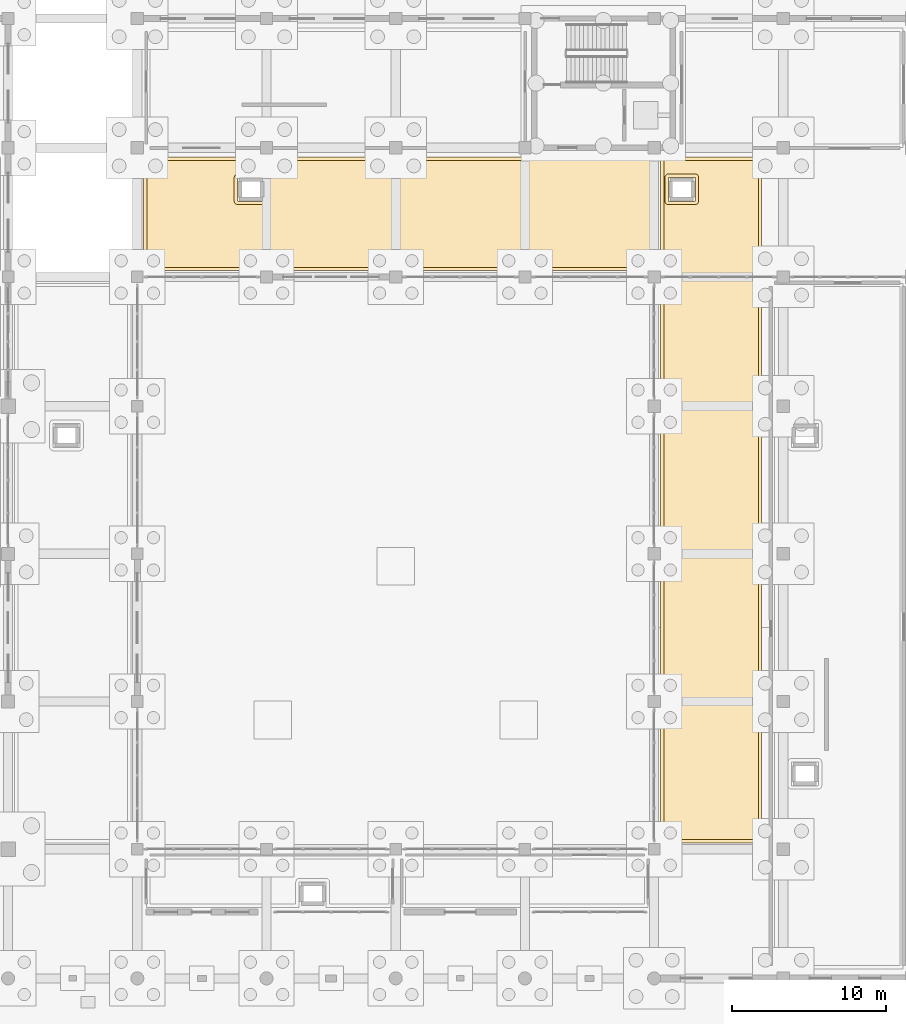
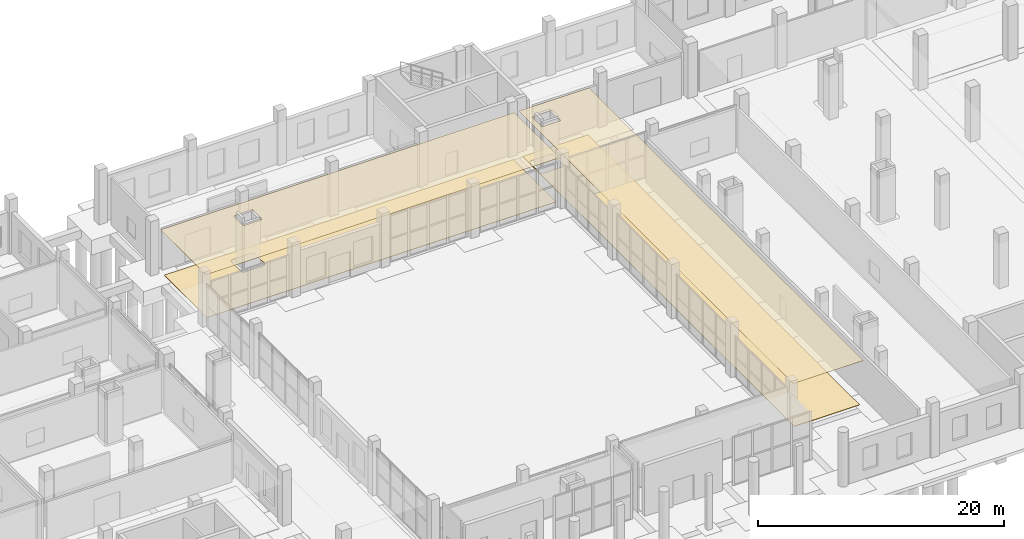
# One storey, part 58 of 65: 4 coverings.
"""IFC4 building model written with IfcOpenShell, lengths in metres."""

from ifc_helpers import new_model, si_unit, direction, frame, origin, place, context, subcontext, project, spatial, polyline, outline, extrude, material, layer, layer_set, type_object, element, save


model = new_model("IFC4")

# Units and contexts
model_context = context("Model", 3, precision=1e-05, world=origin(), true_north=direction((0.0, 1.0)))
body_context = subcontext(model_context, "Body", "Model", "MODEL_VIEW")
ifc_project = project(units=[si_unit("LENGTHUNIT", "METRE"), si_unit("AREAUNIT", "SQUARE_METRE"), si_unit("VOLUMEUNIT", "CUBIC_METRE"), si_unit("PLANEANGLEUNIT", "RADIAN"), si_unit("MASSUNIT", "GRAM", prefix="KILO")], contexts=[model_context])

# Site, building, storey
site_placement = place(None, origin())
site = spatial("IfcSite", under=ifc_project, at=site_placement, CompositionType="ELEMENT")
building_placement = place(site_placement, origin())
building = spatial("IfcBuilding", under=site, at=building_placement, Name="Zulmaris Art Gallery", CompositionType="ELEMENT")
storey_placement = place(building_placement, origin())
storey = spatial("IfcBuildingStorey", under=building, at=storey_placement, Name="L00", CompositionType="ELEMENT", Elevation=0.0)

# Coverings
ifc_material_1 = material(Name="Micro-Perforated Gypsum Acoustic Ceiling", Category="gypsum")
ifc_layer_1 = layer(ifc_material_1, 0.02490234375)
ifc_layer_set_1 = layer_set([ifc_layer_1], Name="Micro-Perforated Gypsum Acoustic Ceiling")
covering_type_1 = type_object("IfcCoveringType", Name="COV-CL01", PredefinedType="CEILING", material=ifc_layer_set_1)
covering_1_placement = place(storey_placement, frame((0.0, 0.0, 4.449951171875)))
element("IfcCovering", 1, at=covering_1_placement, inside=storey, type_object=covering_type_1, Name="East Gallery Promenade acoustic ceiling", PredefinedType="CEILING", context=body_context, shape_type="SweptSolid", body=[
    extrude(outline(polyline([(125.2099609375, 66.590087890625), (131.7900390625, 66.590087890625), (131.7900390625, 22.010009765625), (125.2099609375, 22.010009765625), (125.2099609375, 66.590087890625)]), holes=[polyline([(125.741455078125, 65.278564453125), (125.738525390625, 65.277587890625), (125.736083984375, 65.276123046875), (125.7333984375, 65.274658203125), (125.731201171875, 65.27294921875), (125.72900390625, 65.27099609375), (125.72705078125, 65.268798828125), (125.725341796875, 65.2666015625), (125.723876953125, 65.263916015625), (125.722412109375, 65.261474609375), (125.721435546875, 65.258544921875), (125.720703125, 65.255859375), (125.720458984375, 65.2529296875), (125.719970703125, 65.24462890625), (125.719970703125, 63.75537109375), (125.720458984375, 63.7470703125), (125.720703125, 63.744140625), (125.721435546875, 63.741455078125), (125.722412109375, 63.738525390625), (125.723876953125, 63.736083984375), (125.725341796875, 63.7333984375), (125.72705078125, 63.731201171875), (125.72900390625, 63.72900390625), (125.731201171875, 63.72705078125), (125.7333984375, 63.725341796875), (125.736083984375, 63.723876953125), (125.738525390625, 63.722412109375), (125.741455078125, 63.721435546875), (125.744140625, 63.720703125), (125.7470703125, 63.720458984375), (125.75537109375, 63.719970703125), (127.444580078125, 63.719970703125), (127.452880859375, 63.720458984375), (127.455810546875, 63.720703125), (127.45849609375, 63.721435546875), (127.46142578125, 63.722412109375), (127.464111328125, 63.723876953125), (127.466552734375, 63.725341796875), (127.468994140625, 63.72705078125), (127.470947265625, 63.72900390625), (127.472900390625, 63.731201171875), (127.474609375, 63.7333984375), (127.476318359375, 63.736083984375), (127.4775390625, 63.738525390625), (127.478515625, 63.741455078125), (127.479248046875, 63.744140625), (127.4794921875, 63.7470703125), (127.47998046875, 63.75537109375), (127.47998046875, 65.24462890625), (127.4794921875, 65.2529296875), (127.479248046875, 65.255859375), (127.478515625, 65.258544921875), (127.4775390625, 65.261474609375), (127.476318359375, 65.263916015625), (127.474609375, 65.2666015625), (127.472900390625, 65.268798828125), (127.470947265625, 65.27099609375), (127.468994140625, 65.27294921875), (127.466552734375, 65.274658203125), (127.464111328125, 65.276123046875), (127.46142578125, 65.277587890625), (127.45849609375, 65.278564453125), (127.455810546875, 65.279296875), (127.452880859375, 65.279541015625), (127.444580078125, 65.280029296875), (125.75537109375, 65.280029296875), (125.7470703125, 65.279541015625), (125.744140625, 65.279296875), (125.741455078125, 65.278564453125)])]), origin(), (0.0, 0.0, 1.0), 0.030029296875),
])
covering_2_placement = place(storey_placement, frame((0.0, 0.0, 4.449951171875)))
element("IfcCovering", 2, at=covering_2_placement, inside=storey, type_object=covering_type_1, Name="V4 North Gallery Concourse acoustic ceiling", PredefinedType="CEILING", context=body_context, shape_type="SweptSolid", body=[
    extrude(outline(polyline([(91.610107421875, 66.590087890625), (124.7900390625, 66.590087890625), (124.7900390625, 59.2099609375), (91.610107421875, 59.2099609375), (91.610107421875, 66.590087890625)]), holes=[polyline([(97.741455078125, 65.278564453125), (97.738525390625, 65.277587890625), (97.736083984375, 65.276123046875), (97.7333984375, 65.274658203125), (97.731201171875, 65.27294921875), (97.72900390625, 65.27099609375), (97.72705078125, 65.268798828125), (97.725341796875, 65.2666015625), (97.723876953125, 65.263916015625), (97.722412109375, 65.261474609375), (97.721435546875, 65.258544921875), (97.720703125, 65.255859375), (97.720458984375, 65.2529296875), (97.719970703125, 65.24462890625), (97.719970703125, 63.75537109375), (97.720458984375, 63.7470703125), (97.720703125, 63.744140625), (97.721435546875, 63.741455078125), (97.722412109375, 63.738525390625), (97.723876953125, 63.736083984375), (97.725341796875, 63.7333984375), (97.72705078125, 63.731201171875), (97.72900390625, 63.72900390625), (97.731201171875, 63.72705078125), (97.7333984375, 63.725341796875), (97.736083984375, 63.723876953125), (97.738525390625, 63.722412109375), (97.741455078125, 63.721435546875), (97.744140625, 63.720703125), (97.7470703125, 63.720458984375), (97.75537109375, 63.719970703125), (99.444580078125, 63.719970703125), (99.452880859375, 63.720458984375), (99.455810546875, 63.720703125), (99.45849609375, 63.721435546875), (99.46142578125, 63.722412109375), (99.464111328125, 63.723876953125), (99.466552734375, 63.725341796875), (99.468994140625, 63.72705078125), (99.470947265625, 63.72900390625), (99.472900390625, 63.731201171875), (99.474609375, 63.7333984375), (99.476318359375, 63.736083984375), (99.4775390625, 63.738525390625), (99.478515625, 63.741455078125), (99.479248046875, 63.744140625), (99.4794921875, 63.7470703125), (99.47998046875, 63.75537109375), (99.47998046875, 65.24462890625), (99.4794921875, 65.2529296875), (99.479248046875, 65.255859375), (99.478515625, 65.258544921875), (99.4775390625, 65.261474609375), (99.476318359375, 65.263916015625), (99.474609375, 65.2666015625), (99.472900390625, 65.268798828125), (99.470947265625, 65.27099609375), (99.468994140625, 65.27294921875), (99.466552734375, 65.274658203125), (99.464111328125, 65.276123046875), (99.46142578125, 65.277587890625), (99.45849609375, 65.278564453125), (99.455810546875, 65.279296875), (99.452880859375, 65.279541015625), (99.444580078125, 65.280029296875), (97.75537109375, 65.280029296875), (97.7470703125, 65.279541015625), (97.744140625, 65.279296875), (97.741455078125, 65.278564453125)])]), origin(), (0.0, 0.0, 1.0), 0.030029296875),
])
ifc_material_2 = material(Name="Honed Omani Limestone Terrazzo Flooring", Category="masonry")
ifc_layer_2 = layer(ifc_material_2, 0.0400390625)
ifc_layer_set_2 = layer_set([ifc_layer_2], Name="Honed Omani Limestone Terrazzo Flooring")
covering_type_2 = type_object("IfcCoveringType", Name="COV-FL01", PredefinedType="FLOORING", material=ifc_layer_set_2)
covering_3_placement = place(storey_placement, origin())
element("IfcCovering", 3, at=covering_3_placement, inside=storey, type_object=covering_type_2, Name="East Gallery Promenade finish flooring", PredefinedType="FLOORING", context=body_context, shape_type="SweptSolid", body=[
    extrude(outline(polyline([(131.570068359375, 22.22998046875), (125.429931640625, 22.22998046875), (125.429931640625, 66.3701171875), (131.570068359375, 66.3701171875), (131.570068359375, 22.22998046875)]), holes=[polyline([(125.7255859375, 65.498779296875), (125.701171875, 65.4951171875), (125.677490234375, 65.4892578125), (125.654296875, 65.48095703125), (125.632080078125, 65.470458984375), (125.611083984375, 65.4580078125), (125.59130859375, 65.443359375), (125.5732421875, 65.4267578125), (125.556640625, 65.40869140625), (125.5419921875, 65.388916015625), (125.529541015625, 65.367919921875), (125.51904296875, 65.345703125), (125.5107421875, 65.322509765625), (125.5048828125, 65.298828125), (125.501220703125, 65.2744140625), (125.5, 65.25), (125.5, 63.75), (125.501220703125, 63.7255859375), (125.5048828125, 63.701171875), (125.5107421875, 63.677490234375), (125.51904296875, 63.654296875), (125.529541015625, 63.632080078125), (125.5419921875, 63.611083984375), (125.556640625, 63.59130859375), (125.5732421875, 63.5732421875), (125.59130859375, 63.556640625), (125.611083984375, 63.5419921875), (125.632080078125, 63.529541015625), (125.654296875, 63.51904296875), (125.677490234375, 63.5107421875), (125.701171875, 63.5048828125), (125.7255859375, 63.501220703125), (125.75, 63.5), (127.449951171875, 63.5), (127.474609375, 63.501220703125), (127.498779296875, 63.5048828125), (127.522705078125, 63.5107421875), (127.545654296875, 63.51904296875), (127.56787109375, 63.529541015625), (127.5888671875, 63.5419921875), (127.608642578125, 63.556640625), (127.626708984375, 63.5732421875), (127.643310546875, 63.59130859375), (127.657958984375, 63.611083984375), (127.67041015625, 63.632080078125), (127.680908203125, 63.654296875), (127.689208984375, 63.677490234375), (127.6953125, 63.701171875), (127.69873046875, 63.7255859375), (127.699951171875, 63.75), (127.699951171875, 65.25), (127.69873046875, 65.2744140625), (127.6953125, 65.298828125), (127.689208984375, 65.322509765625), (127.680908203125, 65.345703125), (127.67041015625, 65.367919921875), (127.657958984375, 65.388916015625), (127.643310546875, 65.40869140625), (127.626708984375, 65.4267578125), (127.608642578125, 65.443359375), (127.5888671875, 65.4580078125), (127.56787109375, 65.470458984375), (127.545654296875, 65.48095703125), (127.522705078125, 65.4892578125), (127.498779296875, 65.4951171875), (127.474609375, 65.498779296875), (127.449951171875, 65.5), (125.75, 65.5), (125.7255859375, 65.498779296875)])]), origin(), (0.0, 0.0, 1.0), 0.034912109375),
])
covering_4_placement = place(storey_placement, origin())
element("IfcCovering", 4, at=covering_4_placement, inside=storey, type_object=covering_type_2, Name="V4 North Gallery Concourse finish flooring", PredefinedType="FLOORING", context=body_context, shape_type="SweptSolid", body=[
    extrude(outline(polyline([(124.570068359375, 59.429931640625), (91.830078125, 59.429931640625), (91.830078125, 66.3701171875), (124.570068359375, 66.3701171875), (124.570068359375, 59.429931640625)]), holes=[polyline([(97.7255859375, 65.498779296875), (97.701171875, 65.4951171875), (97.677490234375, 65.4892578125), (97.654296875, 65.48095703125), (97.632080078125, 65.470458984375), (97.611083984375, 65.4580078125), (97.59130859375, 65.443359375), (97.5732421875, 65.4267578125), (97.556640625, 65.40869140625), (97.5419921875, 65.388916015625), (97.529541015625, 65.367919921875), (97.51904296875, 65.345703125), (97.5107421875, 65.322509765625), (97.5048828125, 65.298828125), (97.501220703125, 65.2744140625), (97.5, 65.25), (97.5, 63.75), (97.501220703125, 63.7255859375), (97.5048828125, 63.701171875), (97.5107421875, 63.677490234375), (97.51904296875, 63.654296875), (97.529541015625, 63.632080078125), (97.5419921875, 63.611083984375), (97.556640625, 63.59130859375), (97.5732421875, 63.5732421875), (97.59130859375, 63.556640625), (97.611083984375, 63.5419921875), (97.632080078125, 63.529541015625), (97.654296875, 63.51904296875), (97.677490234375, 63.5107421875), (97.701171875, 63.5048828125), (97.7255859375, 63.501220703125), (97.75, 63.5), (99.449951171875, 63.5), (99.474609375, 63.501220703125), (99.498779296875, 63.5048828125), (99.522705078125, 63.5107421875), (99.545654296875, 63.51904296875), (99.56787109375, 63.529541015625), (99.5888671875, 63.5419921875), (99.608642578125, 63.556640625), (99.626708984375, 63.5732421875), (99.643310546875, 63.59130859375), (99.657958984375, 63.611083984375), (99.67041015625, 63.632080078125), (99.680908203125, 63.654296875), (99.689208984375, 63.677490234375), (99.6953125, 63.701171875), (99.69873046875, 63.7255859375), (99.699951171875, 63.75), (99.699951171875, 65.25), (99.69873046875, 65.2744140625), (99.6953125, 65.298828125), (99.689208984375, 65.322509765625), (99.680908203125, 65.345703125), (99.67041015625, 65.367919921875), (99.657958984375, 65.388916015625), (99.643310546875, 65.40869140625), (99.626708984375, 65.4267578125), (99.608642578125, 65.443359375), (99.5888671875, 65.4580078125), (99.56787109375, 65.470458984375), (99.545654296875, 65.48095703125), (99.522705078125, 65.4892578125), (99.498779296875, 65.4951171875), (99.474609375, 65.498779296875), (99.449951171875, 65.5), (97.75, 65.5), (97.7255859375, 65.498779296875)])]), origin(), (0.0, 0.0, 1.0), 0.034912109375),
])

save(model, "model.ifc")
